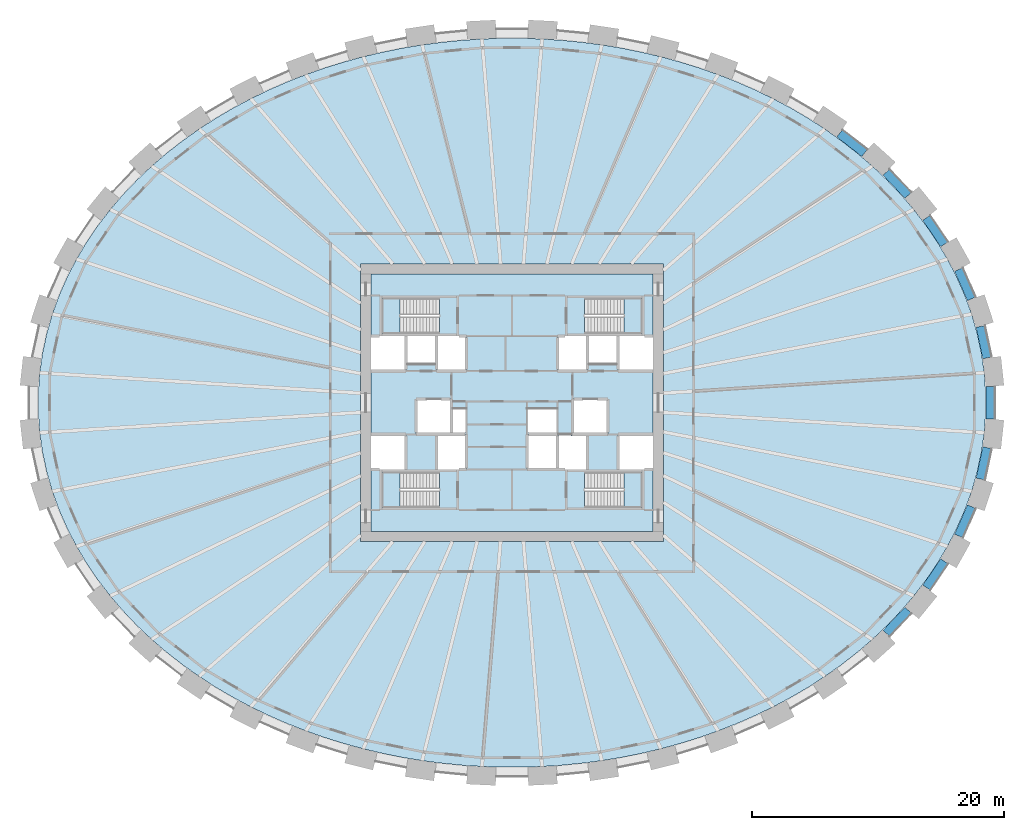
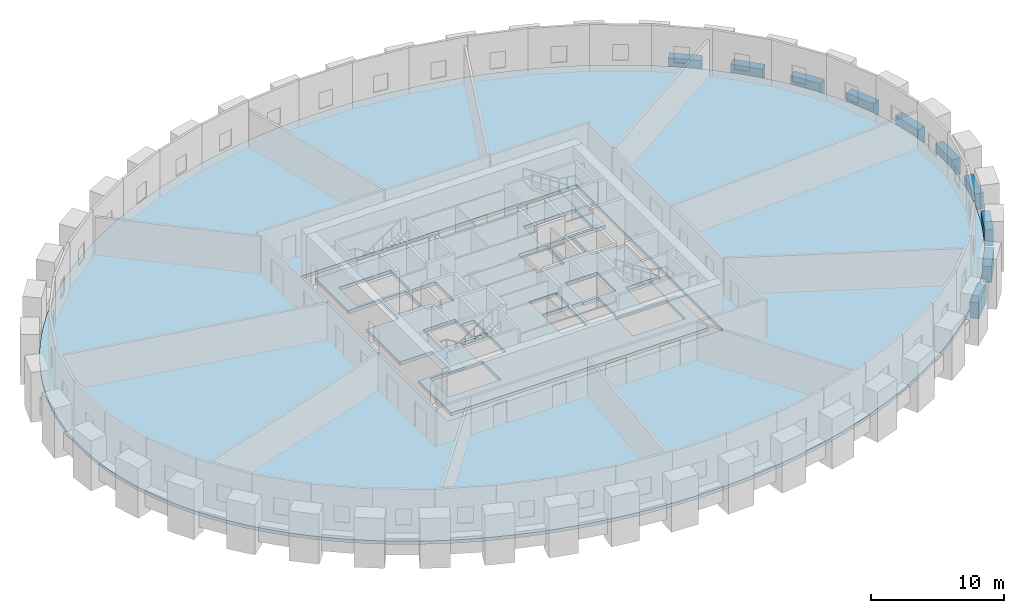
# One storey, part 2 of 9: 10 beams, 6 slabs, 4 elements without a shape of their own.
"""IFC4 building model written with IfcOpenShell, lengths in metres."""

from ifc_helpers import new_model, si_unit, direction, frame, origin, origin_2d, place, context, subcontext, project, spatial, polyline, rectangle, outline, extrude, source, transform, mapped, material, layer, layer_set, material_profile, profile_set, type_object, element, aggregate, save


model = new_model("IFC4")

# Units and contexts
model_context = context("Model", 3, precision=1e-05, world=origin(), true_north=direction((0.0, 1.0)))
body_context = subcontext(model_context, "Body", "Model", "MODEL_VIEW")
ifc_project = project(units=[si_unit("LENGTHUNIT", "METRE"), si_unit("AREAUNIT", "SQUARE_METRE"), si_unit("VOLUMEUNIT", "CUBIC_METRE"), si_unit("PLANEANGLEUNIT", "RADIAN"), si_unit("MASSUNIT", "GRAM", prefix="KILO")], contexts=[model_context])

# Site, building, storey
site_placement = place(None, origin())
site = spatial("IfcSite", under=ifc_project, at=site_placement, CompositionType="ELEMENT")
building_placement = place(site_placement, origin())
building = spatial("IfcBuilding", under=site, at=building_placement, Name="Embergate Tower", CompositionType="ELEMENT")
storey_placement = place(building_placement, frame((0.0, 0.0, 147.60009765625)))
storey = spatial("IfcBuildingStorey", under=building, at=storey_placement, Name="L32", CompositionType="ELEMENT", Elevation=147.60009765625)

# Beams
ifc_material_1 = material(Name="Concrete C70", Category="concrete")
ifc_material_profile = material_profile(ifc_material_1, rectangle(XDim=0.699951171875, YDim=1.5, at=origin_2d()), Name="RC 700x1500")
ifc_profile_set = profile_set([ifc_material_profile], Name="Concrete C70")
beam_type = type_object("IfcBeamType", Name="Spandrel beam RC 700x1500 C70", PredefinedType="BEAM", material=ifc_profile_set)
shared_shape_1 = source(origin(), body_context, "Body", "SweptSolid", [
    extrude(rectangle(XDim=0.699951171875, YDim=1.5, at=origin_2d()), origin(), (0.0, 0.0, 1.0), 2.5439453125),
])
for number, where, z_axis, x_axis, name in (
    (1, (37.678955078125, 3.56005859375, 0.0), (-0.210269633901, 0.977643432474, 0.0), (-0.977643432474, -0.210269633901, 0.0), "SPN-L32-00"),
    (2, (37.14404296875, -6.047119140625, 0.0), (0.210269633901, 0.977643432474, 0.0), (-0.977643432474, 0.210269633901, 0.0), "SPN-L32-42"),
    (3, (37.922119140625, -1.27197265625, 0.0), (0.0, 1.0, 0.0), (-1.0, 0.0, 0.0), "SPN-L32-43"),
):
    element("IfcBeam", number, at=place(storey_placement, frame(where, z_axis=z_axis, x_axis=x_axis)), inside=storey, type_object=beam_type, Name=name, PredefinedType="BEAM", context=body_context, shape_type="MappedRepresentation", body=[
        mapped(shared_shape_1, transform((0.0, 0.0, 0.0))),
    ])
shared_shape_2 = source(origin(), body_context, "Body", "SweptSolid", [
    extrude(rectangle(XDim=0.699951171875, YDim=1.5, at=origin_2d()), origin(), (0.0, 0.0, 1.0), 2.5400390625),
])
for number, where, z_axis, x_axis, name in (
    (4, (36.43701171875, 8.236083984375, 0.0), (-0.401942892026, 0.915664737526, 0.0), (-0.915664737526, -0.401942892026, 0.0), "SPN-L32-01"),
    (5, (35.416015625, -10.56201171875, 0.0), (0.401942892026, 0.915664737526, 0.0), (-0.915664737526, 0.401942892026, 0.0), "SPN-L32-41"),
):
    element("IfcBeam", number, at=place(storey_placement, frame(where, z_axis=z_axis, x_axis=x_axis)), inside=storey, type_object=beam_type, Name=name, PredefinedType="BEAM", context=body_context, shape_type="MappedRepresentation", body=[
        mapped(shared_shape_2, transform((0.0, 0.0, 0.0))),
    ])
shared_shape_3 = source(origin(), body_context, "Body", "SweptSolid", [
    extrude(rectangle(XDim=0.699951171875, YDim=1.5, at=origin_2d()), origin(), (0.0, 0.0, 1.0), 2.53076171875),
])
for number, where, z_axis, x_axis, name in (
    (6, (34.284912109375, 12.56494140625, 0.0), (-0.562201835746, 0.827000057971, 0.0), (-0.827000057971, -0.562201835746, 0.0), "SPN-L32-02"),
    (7, (32.862060546875, -14.657958984375, 0.0), (0.562201835746, 0.827000057971, 0.0), (-0.827000057971, 0.562201835746, 0.0), "SPN-L32-40"),
):
    element("IfcBeam", number, at=place(storey_placement, frame(where, z_axis=z_axis, x_axis=x_axis)), inside=storey, type_object=beam_type, Name=name, PredefinedType="BEAM", context=body_context, shape_type="MappedRepresentation", body=[
        mapped(shared_shape_3, transform((0.0, 0.0, 0.0))),
    ])
shared_shape_4 = source(origin(), body_context, "Body", "SweptSolid", [
    extrude(rectangle(XDim=0.699951171875, YDim=1.5, at=origin_2d()), origin(), (0.0, 0.0, 1.0), 2.525634765625),
])
for number, where, z_axis, x_axis, name in (
    (8, (31.4169921875, 16.447021484375, 0.0), (-0.690087108464, 0.723726317562, 0.0), (-0.723726317562, -0.690087108464, 0.0), "SPN-L32-03"),
    (9, (29.674072265625, -18.27490234375, 0.0), (0.690087108464, 0.723726317562, 0.0), (-0.723726317562, 0.690087108464, 0.0), "SPN-L32-39"),
):
    element("IfcBeam", number, at=place(storey_placement, frame(where, z_axis=z_axis, x_axis=x_axis)), inside=storey, type_object=beam_type, Name=name, PredefinedType="BEAM", context=body_context, shape_type="MappedRepresentation", body=[
        mapped(shared_shape_4, transform((0.0, 0.0, 0.0))),
    ])
shared_shape_5 = source(origin(), body_context, "Body", "SweptSolid", [
    extrude(rectangle(XDim=0.699951171875, YDim=1.5, at=origin_2d()), origin(), (0.0, 0.0, 1.0), 2.51806640625),
])
beam_placement = place(storey_placement, frame((27.955078125, 19.803955078125, 0.0), z_axis=(-0.788369690111, 0.6152017813, 0.0), x_axis=(-0.6152017813, -0.788369690111, 0.0)))
element("IfcBeam", 10, at=beam_placement, inside=storey, type_object=beam_type, Name="SPN-L32-04", PredefinedType="BEAM", context=body_context, shape_type="MappedRepresentation", body=[
    mapped(shared_shape_5, transform((0.0, 0.0, 0.0))),
])

# Slab
ifc_material_2 = material(Name="Concrete C50", Category="concrete")
ifc_layer_1 = layer(ifc_material_2, 0.300048828125)
ifc_layer_set_1 = layer_set([ifc_layer_1], Name="Concrete C50")
slab_type_1 = type_object("IfcSlabType", Name="Plant floor slab C50 300", PredefinedType="FLOOR", material=ifc_layer_set_1)
shared_shape_6 = source(origin(), body_context, "Body", "SweptSolid", [
    extrude(outline(polyline([(0.0, 0.0), (1.58984375, 0.0), (3.177978515625, 0.0517578125), (4.766845703125, 0.15576171875), (6.348876953125, 0.310791015625), (7.919921875, 0.517822265625), (9.494873046875, 0.77880859375), (11.052978515625, 1.091796875), (12.593017578125, 1.454833984375), (14.135986328125, 1.876953125), (15.65283203125, 2.348876953125), (17.141845703125, 2.871826171875), (18.634033203125, 3.457763671875), (20.08984375, 4.094970703125), (21.5078125, 4.78076171875), (22.9248046875, 5.537841796875), (24.294921875, 6.3427734375), (25.614990234375, 7.19580078125), (26.927001953125, 8.126953125), (28.178955078125, 9.103759765625), (29.369873046875, 10.126953125), (30.538818359375, 11.23388671875), (31.635986328125, 12.3828125), (32.656982421875, 13.572998046875), (33.636962890625, 14.849853515625), (34.530029296875, 16.163818359375), (35.3349609375, 17.510986328125), (36.072021484375, 18.936767578125), (36.7099609375, 20.390869140625), (37.245849609375, 21.869873046875), (37.68994140625, 23.40576171875), (38.02392578125, 24.957763671875), (38.247802734375, 26.52197265625), (38.36083984375, 28.10693359375), (38.36083984375, 29.69482421875), (38.247802734375, 31.27978515625), (38.02392578125, 32.843994140625), (37.68994140625, 34.39599609375), (37.245849609375, 35.931884765625), (36.7099609375, 37.410888671875), (36.072021484375, 38.864990234375), (35.3349609375, 40.290771484375), (34.530029296875, 41.637939453125), (33.636962890625, 42.951904296875), (32.656982421875, 44.228759765625), (31.635986328125, 45.4189453125), (30.538818359375, 46.56787109375), (29.369873046875, 47.6748046875), (28.178955078125, 48.697998046875), (26.927001953125, 49.6748046875), (25.614990234375, 50.60595703125), (24.294921875, 51.458984375), (22.9248046875, 52.263916015625), (21.5078125, 53.02099609375), (20.08984375, 53.706787109375), (18.634033203125, 54.343994140625), (17.141845703125, 54.929931640625), (15.65283203125, 55.452880859375), (14.135986328125, 55.9248046875), (12.593017578125, 56.346923828125), (11.052978515625, 56.7099609375), (9.494873046875, 57.02294921875), (7.919921875, 57.283935546875), (6.348876953125, 57.490966796875), (4.766845703125, 57.64599609375), (3.177978515625, 57.75), (1.58984375, 57.8017578125), (0.0, 57.8017578125), (-1.588134765625, 57.75), (-3.177001953125, 57.64599609375), (-4.759033203125, 57.490966796875), (-6.330078125, 57.283935546875), (-7.905029296875, 57.02294921875), (-9.463134765625, 56.7099609375), (-11.003173828125, 56.346923828125), (-12.546142578125, 55.9248046875), (-14.06298828125, 55.452880859375), (-15.552001953125, 54.929931640625), (-17.044189453125, 54.343994140625), (-18.5, 53.706787109375), (-19.91796875, 53.02099609375), (-21.3349609375, 52.263916015625), (-22.705078125, 51.458984375), (-24.025146484375, 50.60595703125), (-25.337158203125, 49.6748046875), (-26.589111328125, 48.697998046875), (-27.780029296875, 47.6748046875), (-28.948974609375, 46.56787109375), (-30.046142578125, 45.4189453125), (-31.067138671875, 44.228759765625), (-32.047119140625, 42.951904296875), (-32.940185546875, 41.637939453125), (-33.7451171875, 40.290771484375), (-34.482177734375, 38.864990234375), (-35.1201171875, 37.410888671875), (-35.656005859375, 35.931884765625), (-36.10009765625, 34.39599609375), (-36.43408203125, 32.843994140625), (-36.657958984375, 31.27978515625), (-36.77099609375, 29.69482421875), (-36.77099609375, 28.10693359375), (-36.657958984375, 26.52197265625), (-36.43408203125, 24.957763671875), (-36.10009765625, 23.40576171875), (-35.656005859375, 21.869873046875), (-35.1201171875, 20.390869140625), (-34.482177734375, 18.936767578125), (-33.7451171875, 17.510986328125), (-32.940185546875, 16.163818359375), (-32.047119140625, 14.849853515625), (-31.067138671875, 13.572998046875), (-30.046142578125, 12.3828125), (-28.948974609375, 11.23388671875), (-27.780029296875, 10.126953125), (-26.589111328125, 9.103759765625), (-25.337158203125, 8.126953125), (-24.025146484375, 7.19580078125), (-22.705078125, 6.3427734375), (-21.3349609375, 5.537841796875), (-19.91796875, 4.78076171875), (-18.5, 4.094970703125), (-17.044189453125, 3.457763671875), (-15.552001953125, 2.871826171875), (-14.06298828125, 2.348876953125), (-12.546142578125, 1.876953125), (-11.003173828125, 1.454833984375), (-9.463134765625, 1.091796875), (-7.905029296875, 0.77880859375), (-6.330078125, 0.517822265625), (-4.759033203125, 0.310791015625), (-3.177001953125, 0.15576171875), (-1.588134765625, 0.0517578125), (0.0, 0.0)]), holes=[polyline([(-11.205078125, 17.90087890625), (-11.205078125, 39.90087890625), (12.794921875, 39.90087890625), (12.794921875, 17.90087890625), (-11.205078125, 17.90087890625)])]), origin(), (0.0, 0.0, 1.0), 0.300048828125),
])
slab_1_placement = place(storey_placement, frame((-0.794921875, -28.90087890625, -0.300048828125)))
element("IfcSlab", 11, at=slab_1_placement, inside=storey, type_object=slab_type_1, Name="SLB-L32-00", PredefinedType="FLOOR", context=body_context, shape_type="MappedRepresentation", body=[
    mapped(shared_shape_6, transform((0.0, 0.0, 0.0))),
])

# Stair, slab
ifc_material_3 = material(Name="Exit stair")
stair_type = type_object("IfcStairType", Name="Exit stair", PredefinedType="HALF_TURN_STAIR", material=ifc_material_3)
stair_1_placement = place(storey_placement, origin())
stair_1 = element("IfcStair", 12, at=stair_1_placement, inside=storey, type_object=stair_type, Name="L32 Exit stair 1", PredefinedType="HALF_TURN_STAIR")
ifc_material_4 = material(Name="Concrete C40", Category="concrete")
ifc_layer_2 = layer(ifc_material_4, 0.199951171875)
ifc_layer_set_2 = layer_set([ifc_layer_2], Name="Concrete C40")
slab_type_2 = type_object("IfcSlabType", Name="Stair landing reinforced concrete", PredefinedType="LANDING", material=ifc_layer_set_2)
shared_shape_7 = source(origin(), body_context, "Body", "SweptSolid", [
    extrude(outline(polyline([(0.0, 0.0), (1.429931640625, 0.0), (1.429931640625, 2.800048828125), (0.0, 2.800048828125), (0.0, 0.0)])), origin(), (0.0, 0.0, 1.0), 0.2001953125),
])
slab_2_placement = place(storey_placement, frame((-10.300048828125, 5.5, 2.0498046875)))
slab_2 = element("IfcSlab", 13, at=slab_2_placement, type_object=slab_type_2, Name="ST1 landing 1", PredefinedType="LANDING", context=body_context, shape_type="MappedRepresentation", body=[
    mapped(shared_shape_7, transform((0.0, 0.0, 0.0))),
])
aggregate(stair_1, [slab_2])

stair_2_placement = place(storey_placement, origin())
stair_2 = element("IfcStair", 14, at=stair_2_placement, inside=storey, type_object=stair_type, Name="L32 Exit stair 2", PredefinedType="HALF_TURN_STAIR")
slab_3_placement = place(storey_placement, frame((8.8701171875, 5.5, 2.0498046875)))
slab_3 = element("IfcSlab", 15, at=slab_3_placement, type_object=slab_type_2, Name="ST2 landing 1", PredefinedType="LANDING", context=body_context, shape_type="MappedRepresentation", body=[
    mapped(shared_shape_7, transform((0.0, 0.0, 0.0))),
])
aggregate(stair_2, [slab_3])

stair_3_placement = place(storey_placement, origin())
stair_3 = element("IfcStair", 16, at=stair_3_placement, inside=storey, type_object=stair_type, Name="L32 Exit stair 3", PredefinedType="HALF_TURN_STAIR")
slab_4_placement = place(storey_placement, frame((-10.300048828125, -8.300048828125, 2.0498046875)))
slab_4 = element("IfcSlab", 17, at=slab_4_placement, type_object=slab_type_2, Name="ST3 landing 1", PredefinedType="LANDING", context=body_context, shape_type="MappedRepresentation", body=[
    mapped(shared_shape_7, transform((0.0, 0.0, 0.0))),
])
aggregate(stair_3, [slab_4])

stair_4_placement = place(storey_placement, origin())
stair_4 = element("IfcStair", 18, at=stair_4_placement, inside=storey, type_object=stair_type, Name="L32 Exit stair 4", PredefinedType="HALF_TURN_STAIR")
slab_5_placement = place(storey_placement, frame((8.8701171875, -8.300048828125, 2.0498046875)))
slab_5 = element("IfcSlab", 19, at=slab_5_placement, type_object=slab_type_2, Name="ST4 landing 1", PredefinedType="LANDING", context=body_context, shape_type="MappedRepresentation", body=[
    mapped(shared_shape_7, transform((0.0, 0.0, 0.0))),
])
aggregate(stair_4, [slab_5])

# Slab
ifc_layer_3 = layer(ifc_material_4, 0.300048828125)
ifc_layer_set_3 = layer_set([ifc_layer_3], Name="Concrete C40")
slab_type_3 = type_object("IfcSlabType", Name="Core floor slab 300 reinforced concrete", PredefinedType="FLOOR", material=ifc_layer_set_3)
shared_shape_8 = source(origin(), body_context, "Body", "SweptSolid", [
    extrude(outline(polyline([(0.0, 0.0), (22.39990234375, 0.0), (22.39990234375, 4.89990234375), (19.599853515625, 4.89990234375), (19.599853515625, 7.699951171875), (22.39990234375, 7.699951171875), (22.39990234375, 12.699951171875), (19.599853515625, 12.699951171875), (19.599853515625, 15.5), (22.39990234375, 15.5), (22.39990234375, 20.39990234375), (0.0, 20.39990234375), (0.0, 15.5), (2.800048828125, 15.5), (2.800048828125, 12.699951171875), (0.0, 12.699951171875), (0.0, 7.699951171875), (2.800048828125, 7.699951171875), (2.800048828125, 4.89990234375), (0.0, 4.89990234375), (0.0, 0.0)]), holes=[polyline([(0.89990234375, 1.89990234375), (0.89990234375, 4.699951171875), (5.43994140625, 4.699951171875), (5.43994140625, 1.89990234375), (0.89990234375, 1.89990234375)]), polyline([(16.9599609375, 1.89990234375), (16.9599609375, 4.699951171875), (21.5, 4.699951171875), (21.5, 1.89990234375), (16.9599609375, 1.89990234375)]), polyline([(5.199951171875, 4.89990234375), (5.199951171875, 7.574951171875), (6.52490234375, 7.574951171875), (6.52490234375, 7.699951171875), (7.599853515625, 7.699951171875), (7.599853515625, 4.89990234375), (5.199951171875, 4.89990234375)]), polyline([(12.39990234375, 4.89990234375), (12.39990234375, 7.699951171875), (14.675048828125, 7.699951171875), (14.675048828125, 4.89990234375), (12.39990234375, 4.89990234375)]), polyline([(14.925048828125, 4.89990234375), (14.925048828125, 7.699951171875), (15.875, 7.699951171875), (15.875, 7.574951171875), (17.199951171875, 7.574951171875), (17.199951171875, 4.89990234375), (14.925048828125, 4.89990234375)]), polyline([(3.599853515625, 7.699951171875), (3.599853515625, 10.5), (6.39990234375, 10.5), (6.39990234375, 7.824951171875), (5.074951171875, 7.824951171875), (5.074951171875, 7.699951171875), (3.599853515625, 7.699951171875)]), polyline([(17.324951171875, 7.699951171875), (17.324951171875, 7.824951171875), (16.0, 7.824951171875), (16.0, 10.5), (18.800048828125, 10.5), (18.800048828125, 7.699951171875), (17.324951171875, 7.699951171875)]), polyline([(6.52490234375, 7.824951171875), (6.52490234375, 9.699951171875), (7.599853515625, 9.699951171875), (7.599853515625, 7.824951171875), (6.52490234375, 7.824951171875)]), polyline([(12.39990234375, 7.824951171875), (12.39990234375, 9.699951171875), (14.800048828125, 9.699951171875), (14.800048828125, 7.824951171875), (14.675048828125, 7.824951171875), (12.39990234375, 7.824951171875)]), polyline([(5.199951171875, 12.699951171875), (5.199951171875, 15.5), (7.599853515625, 15.5), (7.599853515625, 12.699951171875), (5.199951171875, 12.699951171875)]), polyline([(14.800048828125, 12.699951171875), (14.800048828125, 15.5), (17.199951171875, 15.5), (17.199951171875, 12.699951171875), (14.800048828125, 12.699951171875)]), polyline([(2.925048828125, 13.300048828125), (2.925048828125, 15.5), (5.074951171875, 15.5), (5.074951171875, 13.300048828125), (2.925048828125, 13.300048828125)]), polyline([(17.324951171875, 13.300048828125), (17.324951171875, 15.5), (19.474853515625, 15.5), (19.474853515625, 13.300048828125), (17.324951171875, 13.300048828125)]), polyline([(0.89990234375, 15.699951171875), (0.89990234375, 18.5), (5.43994140625, 18.5), (5.43994140625, 15.699951171875), (0.89990234375, 15.699951171875)]), polyline([(16.9599609375, 15.699951171875), (16.9599609375, 18.5), (21.5, 18.5), (21.5, 15.699951171875), (16.9599609375, 15.699951171875)])]), origin(), (0.0, 0.0, 1.0), 0.300048828125),
])
slab_6_placement = place(storey_placement, frame((-11.199951171875, -10.199951171875, -0.300048828125)))
element("IfcSlab", 20, at=slab_6_placement, inside=storey, type_object=slab_type_3, Name="Core floor slab", PredefinedType="FLOOR", context=body_context, shape_type="MappedRepresentation", body=[
    mapped(shared_shape_8, transform((0.0, 0.0, 0.0))),
])

save(model, "model.ifc")
